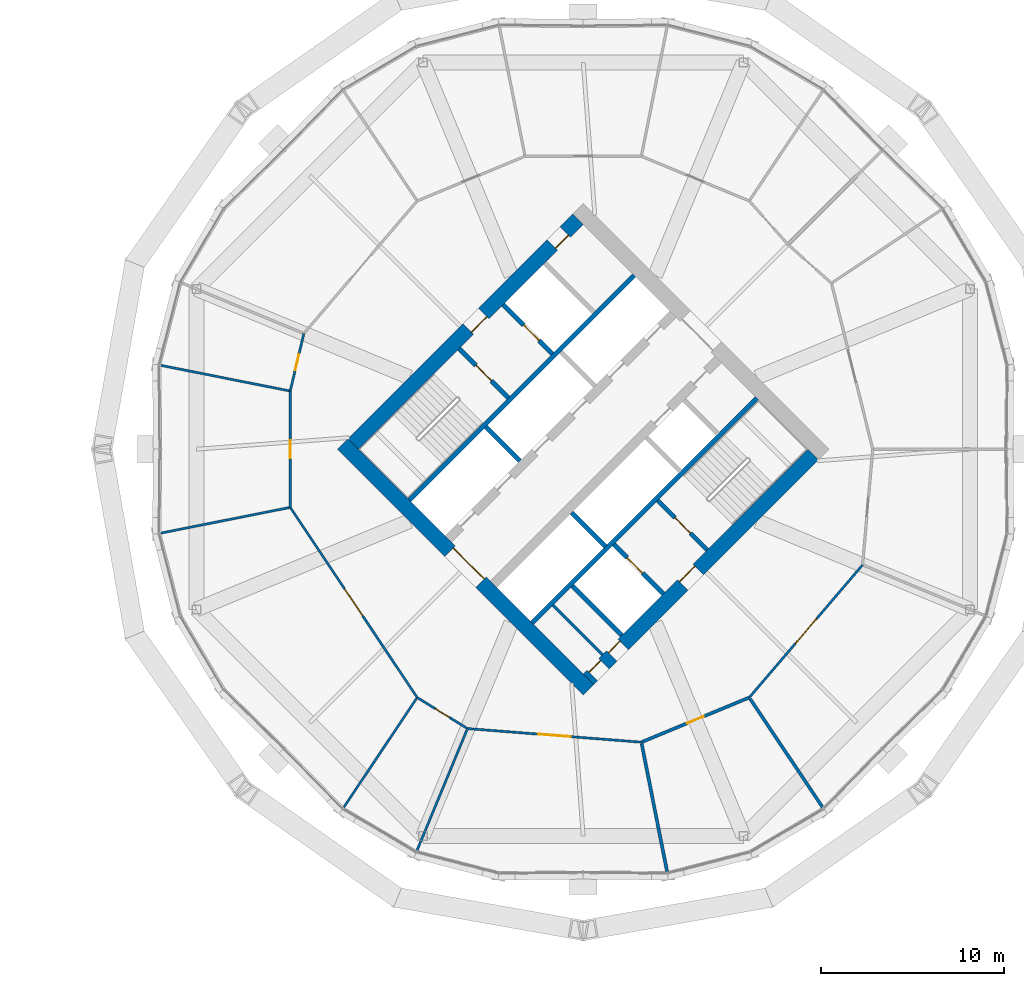
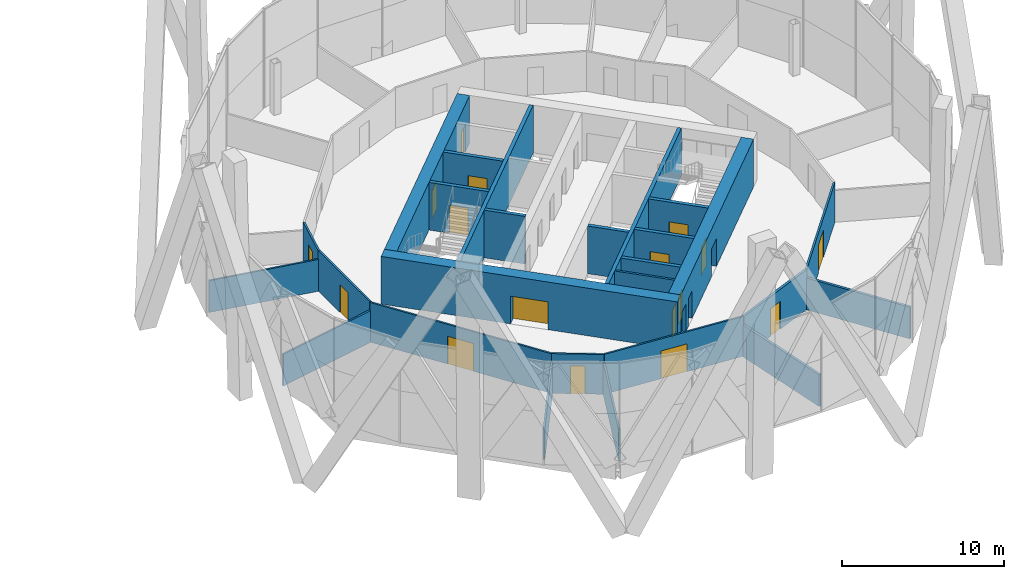
# One storey, part 25 of 31: 26 walls, 17 doors, 17 openings.
"""IFC4 building model written with IfcOpenShell, lengths in metres."""

from ifc_helpers import new_model, si_unit, direction, frame, frame_2d, origin, place, context, subcontext, project, spatial, rectangle, extrude, material, layer, layer_set, type_object, element, fill, save


model = new_model("IFC4")

# Units and contexts
model_context = context("Model", 3, precision=1e-05, world=origin(), true_north=direction((0.0, 1.0)))
body_context = subcontext(model_context, "Body", "Model", "MODEL_VIEW")
ifc_project = project(units=[si_unit("LENGTHUNIT", "METRE"), si_unit("AREAUNIT", "SQUARE_METRE"), si_unit("VOLUMEUNIT", "CUBIC_METRE"), si_unit("PLANEANGLEUNIT", "RADIAN"), si_unit("MASSUNIT", "GRAM", prefix="KILO")], contexts=[model_context])

# Site, building, storey
site_placement = place(None, origin())
site = spatial("IfcSite", under=ifc_project, at=site_placement, CompositionType="ELEMENT")
building_placement = place(site_placement, origin())
building = spatial("IfcBuilding", under=site, at=building_placement, Name="Ogive Gate Towers", CompositionType="ELEMENT")
storey_placement = place(building_placement, frame((0.0, 0.0, 55.800048828125)))
storey = spatial("IfcBuildingStorey", under=building, at=storey_placement, Name="L12", CompositionType="ELEMENT", Elevation=55.800048828125)

# Walls
ifc_material_1 = material(Name="Gypsum board acoustic partition")
ifc_layer_1 = layer(ifc_material_1, 0.175048828125)
ifc_layer_set_1 = layer_set([ifc_layer_1], Name="Acoustic partition 175")
wall_type_1 = type_object("IfcWallType", Name="Acoustic partition 175", PredefinedType="PARTITIONING", material=ifc_layer_set_1)
wall_1_placement = place(storey_placement, frame((40.5888671875, -23.1083984375, 0.0), z_axis=(0.0, 0.0, 1.0), x_axis=(-0.194786131937, 0.980845738536, 0.0)))
element("IfcWall", 1, at=wall_1_placement, inside=storey, type_object=wall_type_1, Name="Partition T2-L12-013", PredefinedType="PARTITIONING", context=body_context, shape_type="SweptSolid", body=[
    extrude(rectangle(XDim=7.1318359375, YDim=0.175048828125, at=frame_2d((3.56591796875, 0.0))), origin(), (0.0, 0.0, 1.0), 2.39990234375),
])
wall_2_placement = place(storey_placement, frame((49.095458984375, -19.584716796875, 0.0), z_axis=(0.0, 0.0, 1.0), x_axis=(-0.555860985904, 0.831275263887, 0.0)))
element("IfcWall", 2, at=wall_2_placement, inside=storey, type_object=wall_type_1, Name="Partition T2-L12-014", PredefinedType="PARTITIONING", context=body_context, shape_type="SweptSolid", body=[
    extrude(rectangle(XDim=7.131591796875, YDim=0.175048828125, at=frame_2d((3.56591796875, 0.0))), origin(), (0.0, 0.0, 1.0), 2.39990234375),
])

# Wall, opening, door
wall_3_placement = place(storey_placement, frame((39.1826171875, -16.027587890625, 0.0), z_axis=(0.0, 0.0, 1.0), x_axis=(0.923883575944, 0.382673670509, 0.0)))
wall_3 = element("IfcWall", 3, at=wall_3_placement, inside=storey, type_object=wall_type_1, Name="Partition T2-L12-021", PredefinedType="PARTITIONING", context=body_context, shape_type="SweptSolid", body=[
    extrude(rectangle(XDim=6.38623046875, YDim=0.175048828125, at=frame_2d((3.193115234375, 0.0))), origin(), (0.0, 0.0, 1.0), 3.010009765625),
])
opening_1_placement = place(wall_3_placement, frame((2.693115234375, 0.0, 0.0)))
opening_1 = element("IfcOpeningElement", 4, at=opening_1_placement, cuts=wall_3, Name="Opening T2-L12-D06", PredefinedType="OPENING", context=body_context, shape_type="SweptSolid", body=[
    extrude(rectangle(XDim=1.0, YDim=2.10009765625, at=frame_2d((0.5, 1.050048828125))), frame((0.0, 0.09765625, 0.0), z_axis=(0.0, -1.0, 0.0), x_axis=(1.0, 0.0, 0.0)), (0.0, 0.0, 1.0), 0.195068359375),
])
ifc_material_2 = material(Name="Timber door", Category="wood")
door_type_1 = type_object("IfcDoorType", Name="Door 1000", OperationType="NOTDEFINED", PredefinedType="DOOR", material=ifc_material_2)
door_1_placement = place(opening_1_placement, origin())
door_1 = element("IfcDoor", 5, at=door_1_placement, inside=storey, type_object=door_type_1, Name="Door T2-L12-D06", OperationType="SINGLE_SWING_RIGHT", OverallHeight=2.10009765625, OverallWidth=1.0, PredefinedType="DOOR", context=body_context, shape_type="SweptSolid", body=[
    extrude(rectangle(XDim=1.0, YDim=2.10009765625, at=frame_2d((0.5, 1.050048828125))), frame((0.0, 0.02490234375, 0.0), z_axis=(0.0, -1.0, 0.0), x_axis=(1.0, 0.0, 0.0)), (0.0, 0.0, 1.0), 0.050048828125),
])
fill(opening_1, door_1)

# Wall, openings, doors
ifc_material_3 = material(Name="Concrete C60/75", Category="concrete")
ifc_layer_2 = layer(ifc_material_3, 0.800048828125)
ifc_layer_set_2 = layer_set([ifc_layer_2], Name="Core wall 800 mm")
wall_type_2 = type_object("IfcWallType", Name="Core wall 800 mm", PredefinedType="SHEAR", material=ifc_layer_set_2)
wall_4_placement = place(storey_placement, frame((36.28271484375, -12.58642578125, 0.0), z_axis=(0.0, 0.0, 1.0), x_axis=(0.707106781187, 0.707106781187, 0.0)))
wall_4 = element("IfcWall", 6, at=wall_4_placement, inside=storey, type_object=wall_type_2, Name="T2 L12 Core wall 800 mm", PredefinedType="SHEAR", context=body_context, shape_type="SweptSolid", body=[
    extrude(rectangle(XDim=17.400146484375, YDim=0.800048828125, at=frame_2d((8.7001953125, 0.0))), origin(), (0.0, 0.0, 1.0), 3.599853515625),
])
opening_2_placement = place(wall_4_placement, frame((7.300048828125, 0.0, 0.0)))
opening_2 = element("IfcOpeningElement", 7, at=opening_2_placement, cuts=wall_4, Name="Opening KD-T2-L12-16", PredefinedType="OPENING", context=body_context, shape_type="SweptSolid", body=[
    extrude(rectangle(XDim=1.199951171875, YDim=2.10009765625, at=frame_2d((0.60009765625, 1.050048828125))), frame((0.0, 0.41015625, 0.0), z_axis=(0.0, -1.0, 0.0), x_axis=(1.0, 0.0, 0.0)), (0.0, 0.0, 1.0), 0.820068359375),
])
opening_3_placement = place(wall_4_placement, frame((0.300048828125, 0.0, 0.0)))
opening_3 = element("IfcOpeningElement", 8, at=opening_3_placement, cuts=wall_4, Name="Opening KD-T2-L12-18", PredefinedType="OPENING", context=body_context, shape_type="SweptSolid", body=[
    extrude(rectangle(XDim=0.89990234375, YDim=2.10009765625, at=frame_2d((0.449951171875, 1.050048828125))), frame((0.0, 0.41015625, 0.0), z_axis=(0.0, -1.0, 0.0), x_axis=(1.0, 0.0, 0.0)), (0.0, 0.0, 1.0), 0.820068359375),
])
opening_4_placement = place(wall_4_placement, frame((1.800048828125, 0.0, 0.0)))
opening_4 = element("IfcOpeningElement", 9, at=opening_4_placement, cuts=wall_4, Name="Opening KD-T2-L12-19", PredefinedType="OPENING", context=body_context, shape_type="SweptSolid", body=[
    extrude(rectangle(XDim=0.89990234375, YDim=2.10009765625, at=frame_2d((0.449951171875, 1.050048828125))), frame((0.0, 0.41015625, 0.0), z_axis=(0.0, -1.0, 0.0), x_axis=(1.0, 0.0, 0.0)), (0.0, 0.0, 1.0), 0.820068359375),
])
door_type_2 = type_object("IfcDoorType", Name="Core WC door 900 x 2100", OperationType="NOTDEFINED", PredefinedType="DOOR", material=ifc_material_2)
door_2_placement = place(opening_3_placement, origin())
door_2 = element("IfcDoor", 10, at=door_2_placement, inside=storey, type_object=door_type_2, Name="T2 L12 Core door", OperationType="SINGLE_SWING_LEFT", OverallHeight=2.10009765625, OverallWidth=0.89990234375, PredefinedType="DOOR", context=body_context, shape_type="SweptSolid", body=[
    extrude(rectangle(XDim=0.89990234375, YDim=2.10009765625, at=frame_2d((0.449951171875, 1.050048828125))), frame((0.0, 0.27490234375, 0.0), z_axis=(0.0, -1.0, 0.0), x_axis=(1.0, 0.0, 0.0)), (0.0, 0.0, 1.0), 0.050048828125),
])
fill(opening_3, door_2)
door_3_placement = place(opening_4_placement, origin())
door_3 = element("IfcDoor", 11, at=door_3_placement, inside=storey, type_object=door_type_2, Name="T2 L12 Core door", OperationType="SINGLE_SWING_RIGHT", OverallHeight=2.10009765625, OverallWidth=0.89990234375, PredefinedType="DOOR", context=body_context, shape_type="SweptSolid", body=[
    extrude(rectangle(XDim=0.89990234375, YDim=2.10009765625, at=frame_2d((0.449951171875, 1.050048828125))), frame((0.0, 0.27490234375, 0.0), z_axis=(0.0, -1.0, 0.0), x_axis=(1.0, 0.0, 0.0)), (0.0, 0.0, 1.0), 0.050048828125),
])
fill(opening_4, door_3)
ifc_material_4 = material(Name="Steel fire door", Category="steel")
door_type_3 = type_object("IfcDoorType", Name="Core door FD60S 1200 x 2100", OperationType="NOTDEFINED", PredefinedType="DOOR", material=ifc_material_4)
door_4_placement = place(opening_2_placement, origin())
door_4 = element("IfcDoor", 12, at=door_4_placement, inside=storey, type_object=door_type_3, Name="T2 L12 Fire-fighting lobby door", OperationType="SINGLE_SWING_LEFT", OverallHeight=2.10009765625, OverallWidth=1.199951171875, PredefinedType="DOOR", context=body_context, shape_type="SweptSolid", body=[
    extrude(rectangle(XDim=1.199951171875, YDim=2.10009765625, at=frame_2d((0.60009765625, 1.050048828125))), frame((0.0, 0.27490234375, 0.0), z_axis=(0.0, -1.0, 0.0), x_axis=(1.0, 0.0, 0.0)), (0.0, 0.0, 1.0), 0.050048828125),
])
fill(opening_2, door_4)

wall_5_placement = place(storey_placement, frame((23.41357421875, 0.28271484375, 0.0), z_axis=(0.0, 0.0, 1.0), x_axis=(0.707106781187, 0.707106781187, 0.0)))
wall_5 = element("IfcWall", 13, at=wall_5_placement, inside=storey, type_object=wall_type_2, Name="T2 L12 Core wall 800 mm", PredefinedType="SHEAR", context=body_context, shape_type="SweptSolid", body=[
    extrude(rectangle(XDim=17.400146484375, YDim=0.800048828125, at=frame_2d((8.7001953125, 0.0))), origin(), (0.0, 0.0, 1.0), 3.599853515625),
])
opening_5_placement = place(wall_5_placement, frame((8.89990234375, 0.0, 0.0)))
opening_5 = element("IfcOpeningElement", 14, at=opening_5_placement, cuts=wall_5, Name="Opening KD-T2-L12-15", PredefinedType="OPENING", context=body_context, shape_type="SweptSolid", body=[
    extrude(rectangle(XDim=1.199951171875, YDim=2.10009765625, at=frame_2d((0.60009765625, 1.050048828125))), frame((0.0, 0.41015625, 0.0), z_axis=(0.0, -1.0, 0.0), x_axis=(1.0, 0.0, 0.0)), (0.0, 0.0, 1.0), 0.820068359375),
])
opening_6_placement = place(wall_5_placement, frame((15.39990234375, 0.0, 0.0)))
opening_6 = element("IfcOpeningElement", 15, at=opening_6_placement, cuts=wall_5, Name="Opening KD-T2-L12-17", PredefinedType="OPENING", context=body_context, shape_type="SweptSolid", body=[
    extrude(rectangle(XDim=1.0, YDim=2.10009765625, at=frame_2d((0.5, 1.050048828125))), frame((0.0, 0.41015625, 0.0), z_axis=(0.0, -1.0, 0.0), x_axis=(1.0, 0.0, 0.0)), (0.0, 0.0, 1.0), 0.820068359375),
])
door_type_4 = type_object("IfcDoorType", Name="Accessible WC door 1000 x 2100", OperationType="NOTDEFINED", PredefinedType="DOOR", material=ifc_material_2)
door_5_placement = place(opening_6_placement, origin())
door_5 = element("IfcDoor", 16, at=door_5_placement, inside=storey, type_object=door_type_4, Name="T2 L12 Core door", OperationType="SINGLE_SWING_RIGHT", OverallHeight=2.10009765625, OverallWidth=1.0, PredefinedType="DOOR", context=body_context, shape_type="SweptSolid", body=[
    extrude(rectangle(XDim=1.0, YDim=2.10009765625, at=frame_2d((0.5, 1.050048828125))), frame((0.0, -0.22509765625, 0.0), z_axis=(0.0, -1.0, 0.0), x_axis=(1.0, 0.0, 0.0)), (0.0, 0.0, 1.0), 0.050048828125),
])
fill(opening_6, door_5)
door_6_placement = place(opening_5_placement, origin())
door_6 = element("IfcDoor", 17, at=door_6_placement, inside=storey, type_object=door_type_3, Name="T2 L12 Fire-fighting lobby door", OperationType="SINGLE_SWING_RIGHT", OverallHeight=2.10009765625, OverallWidth=1.199951171875, PredefinedType="DOOR", context=body_context, shape_type="SweptSolid", body=[
    extrude(rectangle(XDim=1.199951171875, YDim=2.10009765625, at=frame_2d((0.60009765625, 1.050048828125))), frame((0.0, -0.22509765625, 0.0), z_axis=(0.0, -1.0, 0.0), x_axis=(1.0, 0.0, 0.0)), (0.0, 0.0, 1.0), 0.050048828125),
])
fill(opening_5, door_6)

# Wall, opening, door
wall_6_placement = place(storey_placement, frame((36.28271484375, -13.152099609375, 0.0), z_axis=(0.0, 0.0, 1.0), x_axis=(-0.707106781187, 0.707106781187, 0.0)))
wall_6 = element("IfcWall", 18, at=wall_6_placement, inside=storey, type_object=wall_type_2, Name="T2 L12 Core wall 800 mm", PredefinedType="SHEAR", context=body_context, shape_type="SweptSolid", body=[
    extrude(rectangle(XDim=18.999755859375, YDim=0.800048828125, at=frame_2d((9.5, 0.0))), origin(), (0.0, 0.0, 1.0), 3.599853515625),
])
opening_7_placement = place(wall_6_placement, frame((8.300048828125, 0.0, 0.0)))
opening_7 = element("IfcOpeningElement", 19, at=opening_7_placement, cuts=wall_6, Name="Opening KD-T2-L12-01", PredefinedType="OPENING", context=body_context, shape_type="SweptSolid", body=[
    extrude(rectangle(XDim=2.39990234375, YDim=2.10009765625, at=frame_2d((1.199951171875, 1.050048828125))), frame((0.0, 0.41015625, 0.0), z_axis=(0.0, -1.0, 0.0), x_axis=(1.0, 0.0, 0.0)), (0.0, 0.0, 1.0), 0.820068359375),
])
door_type_5 = type_object("IfcDoorType", Name="Core double door FD60S 2400 x 2100", OperationType="DOUBLE_DOOR_SINGLE_SWING", PredefinedType="DOOR", material=ifc_material_4)
door_7_placement = place(opening_7_placement, origin())
door_7 = element("IfcDoor", 20, at=door_7_placement, inside=storey, type_object=door_type_5, Name="T2 L12 Core door double", OperationType="DOUBLE_DOOR_SINGLE_SWING", OverallHeight=2.10009765625, OverallWidth=2.39990234375, PredefinedType="DOOR", context=body_context, shape_type="SweptSolid", body=[
    extrude(rectangle(XDim=2.39990234375, YDim=2.10009765625, at=frame_2d((1.199951171875, 1.050048828125))), frame((0.0, -0.22509765625, 0.0), z_axis=(0.0, -1.0, 0.0), x_axis=(1.0, 0.0, 0.0)), (0.0, 0.0, 1.0), 0.050048828125),
])
fill(opening_7, door_7)

# Walls
ifc_material_5 = material(Name="Gypsum board partition")
ifc_layer_3 = layer(ifc_material_5, 0.125)
ifc_layer_set_3 = layer_set([ifc_layer_3], Name="Partition 125")
wall_type_3 = type_object("IfcWallType", Name="Partition 125", PredefinedType="PARTITIONING", material=ifc_layer_set_3)
for number, where, z_axis, x_axis, name in (
    (21, (12.8916015625, 4.5888671875, 0.0), (0.0, 0.0, 1.0), (0.980844819521, -0.194790759581, 0.0), "Partition T2-L12-009"),
    (22, (12.8916015625, -4.5888671875, 0.0), (0.0, 0.0, 1.0), (0.980844819521, 0.194790759581, 0.0), "Partition T2-L12-010"),
):
    element("IfcWall", number, at=place(storey_placement, frame(where, z_axis=z_axis, x_axis=x_axis)), inside=storey, type_object=wall_type_3, Name=name, PredefinedType="PARTITIONING", context=body_context, shape_type="SweptSolid", body=[
        extrude(rectangle(XDim=7.15673828125, YDim=0.125, at=frame_2d((3.578369140625, 0.0))), origin(), (0.0, 0.0, 1.0), 2.39990234375),
    ])
wall_7_placement = place(storey_placement, frame((22.904541015625, -19.584716796875, 0.0), z_axis=(0.0, 0.0, 1.0), x_axis=(0.55586480032, 0.831272713232, 0.0)))
element("IfcWall", 23, at=wall_7_placement, inside=storey, type_object=wall_type_3, Name="Partition T2-L12-011", PredefinedType="PARTITIONING", context=body_context, shape_type="SweptSolid", body=[
    extrude(rectangle(XDim=7.156494140625, YDim=0.125, at=frame_2d((3.578125, 0.0))), origin(), (0.0, 0.0, 1.0), 2.39990234375),
])
wall_8_placement = place(storey_placement, frame((26.875732421875, -22.02783203125, 0.0), z_axis=(0.0, 0.0, 1.0), x_axis=(0.382672478191, 0.923884069803, 0.0)))
element("IfcWall", 24, at=wall_8_placement, inside=storey, type_object=wall_type_3, Name="Partition T2-L12-012", PredefinedType="PARTITIONING", context=body_context, shape_type="SweptSolid", body=[
    extrude(rectangle(XDim=7.2392578125, YDim=0.125, at=frame_2d((3.61962890625, 0.0))), origin(), (0.0, 0.0, 1.0), 2.39990234375),
])

# Wall, opening, door
wall_9_placement = place(storey_placement, frame((20.718017578125, 6.330078125, 0.0), z_axis=(0.0, 0.0, 1.0), x_axis=(-0.230511522285, -0.973069595709, 0.0)))
wall_9 = element("IfcWall", 25, at=wall_9_placement, inside=storey, type_object=wall_type_3, Name="Partition T2-L12-016", PredefinedType="PARTITIONING", context=body_context, shape_type="SweptSolid", body=[
    extrude(rectangle(XDim=3.234619140625, YDim=0.125, at=frame_2d((1.6171875, 0.0))), origin(), (0.0, 0.0, 1.0), 3.010009765625),
])
opening_8_placement = place(wall_9_placement, frame((1.1669921875, 0.0, 0.0)))
opening_8 = element("IfcOpeningElement", 26, at=opening_8_placement, cuts=wall_9, Name="Opening T2-L12-D01", PredefinedType="OPENING", context=body_context, shape_type="SweptSolid", body=[
    extrude(rectangle(XDim=0.89990234375, YDim=2.10009765625, at=frame_2d((0.449951171875, 1.050048828125))), frame((0.0, 0.072509765625, 0.0), z_axis=(0.0, -1.0, 0.0), x_axis=(1.0, 0.0, 0.0)), (0.0, 0.0, 1.0), 0.14501953125),
])
door_type_6 = type_object("IfcDoorType", Name="Door 900", OperationType="NOTDEFINED", PredefinedType="DOOR", material=ifc_material_2)
door_8_placement = place(opening_8_placement, origin())
door_8 = element("IfcDoor", 27, at=door_8_placement, inside=storey, type_object=door_type_6, Name="Door T2-L12-D01", OperationType="SINGLE_SWING_LEFT", OverallHeight=2.10009765625, OverallWidth=0.89990234375, PredefinedType="DOOR", context=body_context, shape_type="SweptSolid", body=[
    extrude(rectangle(XDim=0.89990234375, YDim=2.10009765625, at=frame_2d((0.449951171875, 1.050048828125))), frame((0.0, 0.02490234375, 0.0), z_axis=(0.0, -1.0, 0.0), x_axis=(1.0, 0.0, 0.0)), (0.0, 0.0, 1.0), 0.050048828125),
])
fill(opening_8, door_8)

wall_10_placement = place(storey_placement, frame((19.972412109375, 3.1826171875, 0.0), z_axis=(0.0, 0.0, 1.0), x_axis=(0.0, -1.0, 0.0)))
wall_10 = element("IfcWall", 28, at=wall_10_placement, inside=storey, type_object=wall_type_3, Name="Partition T2-L12-017", PredefinedType="PARTITIONING", context=body_context, shape_type="SweptSolid", body=[
    extrude(rectangle(XDim=6.365234375, YDim=0.125, at=frame_2d((3.1826171875, 0.0))), origin(), (0.0, 0.0, 1.0), 3.050048828125),
])
opening_9_placement = place(wall_10_placement, frame((2.68310546875, 0.0, 0.0)))
opening_9 = element("IfcOpeningElement", 29, at=opening_9_placement, cuts=wall_10, Name="Opening T2-L12-D02", PredefinedType="OPENING", context=body_context, shape_type="SweptSolid", body=[
    extrude(rectangle(XDim=1.0, YDim=2.10009765625, at=frame_2d((0.5, 1.050048828125))), frame((0.0, 0.072509765625, 0.0), z_axis=(0.0, -1.0, 0.0), x_axis=(1.0, 0.0, 0.0)), (0.0, 0.0, 1.0), 0.14501953125),
])
door_9_placement = place(opening_9_placement, origin())
door_9 = element("IfcDoor", 30, at=door_9_placement, inside=storey, type_object=door_type_1, Name="Door T2-L12-D02", OperationType="SINGLE_SWING_RIGHT", OverallHeight=2.10009765625, OverallWidth=1.0, PredefinedType="DOOR", context=body_context, shape_type="SweptSolid", body=[
    extrude(rectangle(XDim=1.0, YDim=2.10009765625, at=frame_2d((0.5, 1.050048828125))), frame((0.0, 0.02490234375, 0.0), z_axis=(0.0, -1.0, 0.0), x_axis=(1.0, 0.0, 0.0)), (0.0, 0.0, 1.0), 0.050048828125),
])
fill(opening_9, door_9)

wall_11_placement = place(storey_placement, frame((19.972412109375, -3.1826171875, 0.0), z_axis=(0.0, 0.0, 1.0), x_axis=(0.555294694613, -0.831653655156, 0.0)))
wall_11 = element("IfcWall", 31, at=wall_11_placement, inside=storey, type_object=wall_type_3, Name="Partition T2-L12-018", PredefinedType="PARTITIONING", context=body_context, shape_type="SweptSolid", body=[
    extrude(rectangle(XDim=12.506591796875, YDim=0.125, at=frame_2d((6.25341796875, 0.0))), origin(), (0.0, 0.0, 1.0), 3.0),
])
opening_10_placement = place(wall_11_placement, frame((5.35302734375, 0.0, 0.0)))
opening_10 = element("IfcOpeningElement", 32, at=opening_10_placement, cuts=wall_11, Name="Opening T2-L12-D03", PredefinedType="OPENING", context=body_context, shape_type="SweptSolid", body=[
    extrude(rectangle(XDim=1.800048828125, YDim=2.10009765625, at=frame_2d((0.89990234375, 1.050048828125))), frame((0.0, 0.072509765625, 0.0), z_axis=(0.0, -1.0, 0.0), x_axis=(1.0, 0.0, 0.0)), (0.0, 0.0, 1.0), 0.14501953125),
])
door_type_7 = type_object("IfcDoorType", Name="Door pair 1800", OperationType="NOTDEFINED", PredefinedType="DOOR", material=ifc_material_2)
door_10_placement = place(opening_10_placement, origin())
door_10 = element("IfcDoor", 33, at=door_10_placement, inside=storey, type_object=door_type_7, Name="Door T2-L12-D03", OperationType="DOUBLE_DOOR_DOUBLE_SWING", OverallHeight=2.10009765625, OverallWidth=1.800048828125, PredefinedType="DOOR", context=body_context, shape_type="SweptSolid", body=[
    extrude(rectangle(XDim=1.800048828125, YDim=2.10009765625, at=frame_2d((0.89990234375, 1.050048828125))), frame((0.0, 0.02490234375, 0.0), z_axis=(0.0, -1.0, 0.0), x_axis=(1.0, 0.0, 0.0)), (0.0, 0.0, 1.0), 0.050048828125),
])
fill(opening_10, door_10)

wall_12_placement = place(storey_placement, frame((26.917236328125, -13.583740234375, 0.0), z_axis=(0.0, 0.0, 1.0), x_axis=(0.851066872597, -0.525057309604, 0.0)))
wall_12 = element("IfcWall", 34, at=wall_12_placement, inside=storey, type_object=wall_type_3, Name="Partition T2-L12-019", PredefinedType="PARTITIONING", context=body_context, shape_type="SweptSolid", body=[
    extrude(rectangle(XDim=3.234375, YDim=0.125, at=frame_2d((1.6171875, 0.0))), origin(), (0.0, 0.0, 1.0), 3.010009765625),
])
opening_11_placement = place(wall_12_placement, frame((1.1669921875, 0.0, 0.0)))
opening_11 = element("IfcOpeningElement", 35, at=opening_11_placement, cuts=wall_12, Name="Opening T2-L12-D04", PredefinedType="OPENING", context=body_context, shape_type="SweptSolid", body=[
    extrude(rectangle(XDim=0.89990234375, YDim=2.10009765625, at=frame_2d((0.449951171875, 1.050048828125))), frame((0.0, 0.072509765625, 0.0), z_axis=(0.0, -1.0, 0.0), x_axis=(1.0, 0.0, 0.0)), (0.0, 0.0, 1.0), 0.14501953125),
])
door_11_placement = place(opening_11_placement, origin())
door_11 = element("IfcDoor", 36, at=door_11_placement, inside=storey, type_object=door_type_6, Name="Door T2-L12-D04", OperationType="SINGLE_SWING_LEFT", OverallHeight=2.10009765625, OverallWidth=0.89990234375, PredefinedType="DOOR", context=body_context, shape_type="SweptSolid", body=[
    extrude(rectangle(XDim=0.89990234375, YDim=2.10009765625, at=frame_2d((0.449951171875, 1.050048828125))), frame((0.0, 0.02490234375, 0.0), z_axis=(0.0, -1.0, 0.0), x_axis=(1.0, 0.0, 0.0)), (0.0, 0.0, 1.0), 0.050048828125),
])
fill(opening_11, door_11)

wall_13_placement = place(storey_placement, frame((29.669921875, -15.281982421875, 0.0), z_axis=(0.0, 0.0, 1.0), x_axis=(0.996942365505, -0.078140385593, 0.0)))
wall_13 = element("IfcWall", 37, at=wall_13_placement, inside=storey, type_object=wall_type_3, Name="Partition T2-L12-020", PredefinedType="PARTITIONING", context=body_context, shape_type="SweptSolid", body=[
    extrude(rectangle(XDim=9.5419921875, YDim=0.125, at=frame_2d((4.77099609375, 0.0))), origin(), (0.0, 0.0, 1.0), 3.010009765625),
])
opening_12_placement = place(wall_13_placement, frame((3.87109375, 0.0, 0.0)))
opening_12 = element("IfcOpeningElement", 38, at=opening_12_placement, cuts=wall_13, Name="Opening T2-L12-D05", PredefinedType="OPENING", context=body_context, shape_type="SweptSolid", body=[
    extrude(rectangle(XDim=1.800048828125, YDim=2.10009765625, at=frame_2d((0.89990234375, 1.050048828125))), frame((0.0, 0.072509765625, 0.0), z_axis=(0.0, -1.0, 0.0), x_axis=(1.0, 0.0, 0.0)), (0.0, 0.0, 1.0), 0.14501953125),
])
door_12_placement = place(opening_12_placement, origin())
door_12 = element("IfcDoor", 39, at=door_12_placement, inside=storey, type_object=door_type_7, Name="Door T2-L12-D05", OperationType="DOUBLE_DOOR_DOUBLE_SWING", OverallHeight=2.10009765625, OverallWidth=1.800048828125, PredefinedType="DOOR", context=body_context, shape_type="SweptSolid", body=[
    extrude(rectangle(XDim=1.800048828125, YDim=2.10009765625, at=frame_2d((0.89990234375, 1.050048828125))), frame((0.0, 0.02490234375, 0.0), z_axis=(0.0, -1.0, 0.0), x_axis=(1.0, 0.0, 0.0)), (0.0, 0.0, 1.0), 0.050048828125),
])
fill(opening_12, door_12)

wall_14_placement = place(storey_placement, frame((45.082763671875, -13.583740234375, 0.0), z_axis=(0.0, 0.0, 1.0), x_axis=(0.649690774844, 0.760198590556, 0.0)))
wall_14 = element("IfcWall", 40, at=wall_14_placement, inside=storey, type_object=wall_type_3, Name="Partition T2-L12-022", PredefinedType="PARTITIONING", context=body_context, shape_type="SweptSolid", body=[
    extrude(rectangle(XDim=9.541748046875, YDim=0.125, at=frame_2d((4.77099609375, 0.0))), origin(), (0.0, 0.0, 1.0), 3.0),
])
opening_13_placement = place(wall_14_placement, frame((3.87109375, 0.0, 0.0)))
opening_13 = element("IfcOpeningElement", 41, at=opening_13_placement, cuts=wall_14, Name="Opening T2-L12-D07", PredefinedType="OPENING", context=body_context, shape_type="SweptSolid", body=[
    extrude(rectangle(XDim=1.800048828125, YDim=2.10009765625, at=frame_2d((0.89990234375, 1.050048828125))), frame((0.0, 0.072509765625, 0.0), z_axis=(0.0, -1.0, 0.0), x_axis=(1.0, 0.0, 0.0)), (0.0, 0.0, 1.0), 0.14501953125),
])
door_13_placement = place(opening_13_placement, origin())
door_13 = element("IfcDoor", 42, at=door_13_placement, inside=storey, type_object=door_type_7, Name="Door T2-L12-D07", OperationType="DOUBLE_DOOR_DOUBLE_SWING", OverallHeight=2.10009765625, OverallWidth=1.800048828125, PredefinedType="DOOR", context=body_context, shape_type="SweptSolid", body=[
    extrude(rectangle(XDim=1.800048828125, YDim=2.10009765625, at=frame_2d((0.89990234375, 1.050048828125))), frame((0.0, 0.02490234375, 0.0), z_axis=(0.0, -1.0, 0.0), x_axis=(1.0, 0.0, 0.0)), (0.0, 0.0, 1.0), 0.050048828125),
])
fill(opening_13, door_13)

# Walls
ifc_layer_4 = layer(ifc_material_5, 0.14990234375)
ifc_layer_set_4 = layer_set([ifc_layer_4], Name="Room partition 150 mm")
wall_type_4 = type_object("IfcWallType", Name="Room partition 150 mm", PredefinedType="PARTITIONING", material=ifc_layer_set_4)
wall_15_placement = place(storey_placement, frame((37.060791015625, -11.242919921875, 0.0), z_axis=(0.0, 0.0, 1.0), x_axis=(-0.707138693938, 0.707074866995, 0.0)))
element("IfcWall", 43, at=wall_15_placement, inside=storey, type_object=wall_type_4, Name="T2 L12 Room partition 150 mm", PredefinedType="PARTITIONING", context=body_context, shape_type="SweptSolid", body=[
    extrude(rectangle(XDim=3.824951171875, YDim=0.14990234375, at=frame_2d((1.91259765625, 0.0))), origin(), (0.0, 0.0, 1.0), 3.599853515625),
])
ifc_layer_5 = layer(ifc_material_3, 0.25)
ifc_layer_set_5 = layer_set([ifc_layer_5], Name="Shaft wall 250 mm")
wall_type_5 = type_object("IfcWallType", Name="Shaft wall 250 mm", PredefinedType="SHEAR", material=ifc_layer_set_5)
for number, where, z_axis, x_axis, name in (
    (44, (33.206787109375, -9.510498046875, 0.0), (0.0, 0.0, 1.0), (0.707106781187, 0.707106781187, 0.0), "T2 L12 Shaft wall 250 mm"),
    (45, (26.489501953125, -2.793212890625, 0.0), (0.0, 0.0, 1.0), (0.707106781187, 0.707106781187, 0.0), "T2 L12 Shaft wall 250 mm"),
):
    element("IfcWall", number, at=place(storey_placement, frame(where, z_axis=z_axis, x_axis=x_axis)), inside=storey, type_object=wall_type_5, Name=name, PredefinedType="SHEAR", context=body_context, shape_type="SweptSolid", body=[
        extrude(rectangle(XDim=17.400146484375, YDim=0.25, at=frame_2d((8.7001953125, 0.0))), origin(), (0.0, 0.0, 1.0), 3.599853515625),
    ])
wall_16_placement = place(storey_placement, frame((38.121337890625, -10.182373046875, 0.0), z_axis=(0.0, 0.0, 1.0), x_axis=(-0.707138693938, 0.707074866995, 0.0)))
element("IfcWall", 46, at=wall_16_placement, inside=storey, type_object=wall_type_5, Name="T2 L12 Shaft wall 250 mm", PredefinedType="SHEAR", context=body_context, shape_type="SweptSolid", body=[
    extrude(rectangle(XDim=3.824951171875, YDim=0.25, at=frame_2d((1.91259765625, 0.0))), origin(), (0.0, 0.0, 1.0), 3.599853515625),
])
for number, where, z_axis, x_axis, name in (
    (47, (37.2197265625, -5.321044921875, 0.0), (0.0, 0.0, 1.0), (-0.707106781187, 0.707106781187, 0.0), "T2 L12 Shaft wall 250 mm"),
    (48, (32.53515625, -0.636474609375, 0.0), (0.0, 0.0, 1.0), (-0.707106781187, 0.707106781187, 0.0), "T2 L12 Shaft wall 250 mm"),
):
    element("IfcWall", number, at=place(storey_placement, frame(where, z_axis=z_axis, x_axis=x_axis)), inside=storey, type_object=wall_type_5, Name=name, PredefinedType="SHEAR", context=body_context, shape_type="SweptSolid", body=[
        extrude(rectangle(XDim=2.625, YDim=0.25, at=frame_2d((1.3125, 0.0))), origin(), (0.0, 0.0, 1.0), 3.599853515625),
    ])

# Wall, opening, door
wall_17_placement = place(storey_placement, frame((40.384033203125, -7.919677734375, 0.0), z_axis=(0.0, 0.0, 1.0), x_axis=(-0.707074866995, 0.707138693938, 0.0)))
wall_17 = element("IfcWall", 49, at=wall_17_placement, inside=storey, type_object=wall_type_5, Name="T2 L12 Shaft wall 250 mm", PredefinedType="SHEAR", context=body_context, shape_type="SweptSolid", body=[
    extrude(rectangle(XDim=3.824951171875, YDim=0.25, at=frame_2d((1.91259765625, 0.0))), origin(), (0.0, 0.0, 1.0), 3.599853515625),
])
opening_14_placement = place(wall_17_placement, frame((1.60009765625, 0.0, 0.0)))
opening_14 = element("IfcOpeningElement", 50, at=opening_14_placement, cuts=wall_17, Name="Opening LD-T2-L12-11", PredefinedType="OPENING", context=body_context, shape_type="SweptSolid", body=[
    extrude(rectangle(XDim=1.199951171875, YDim=2.10009765625, at=frame_2d((0.60009765625, 1.050048828125))), frame((0.0, 0.135009765625, 0.0), z_axis=(0.0, -1.0, 0.0), x_axis=(1.0, 0.0, 0.0)), (0.0, 0.0, 1.0), 0.27001953125),
])
ifc_material_6 = material(Name="Stainless steel landing door", Category="steel")
door_type_8 = type_object("IfcDoorType", Name="Landing door 1200 x 2100", OperationType="SLIDING_TO_LEFT", PredefinedType="DOOR", material=ifc_material_6)
door_14_placement = place(opening_14_placement, origin())
door_14 = element("IfcDoor", 51, at=door_14_placement, inside=storey, type_object=door_type_8, Name="T2 L12 Lift landing door FF2", OperationType="SLIDING_TO_LEFT", OverallHeight=2.10009765625, OverallWidth=1.199951171875, PredefinedType="DOOR", context=body_context, shape_type="SweptSolid", body=[
    extrude(rectangle(XDim=1.199951171875, YDim=2.10009765625, at=frame_2d((0.60009765625, 1.050048828125))), frame((0.0, 0.02490234375, 0.0), z_axis=(0.0, -1.0, 0.0), x_axis=(1.0, 0.0, 0.0)), (0.0, 0.0, 1.0), 0.050048828125),
])
fill(opening_14, door_14)

wall_18_placement = place(storey_placement, frame((31.91650390625, 2.810791015625, 0.0), z_axis=(0.0, 0.0, 1.0), x_axis=(-0.707106781187, 0.707106781187, 0.0)))
wall_18 = element("IfcWall", 52, at=wall_18_placement, inside=storey, type_object=wall_type_5, Name="T2 L12 Shaft wall 250 mm", PredefinedType="SHEAR", context=body_context, shape_type="SweptSolid", body=[
    extrude(rectangle(XDim=3.824951171875, YDim=0.25, at=frame_2d((1.91259765625, 0.0))), origin(), (0.0, 0.0, 1.0), 3.599853515625),
])
opening_15_placement = place(wall_18_placement, frame((1.324951171875, 0.0, 0.0)))
opening_15 = element("IfcOpeningElement", 53, at=opening_15_placement, cuts=wall_18, Name="Opening KD-T2-L12-13", PredefinedType="OPENING", context=body_context, shape_type="SweptSolid", body=[
    extrude(rectangle(XDim=1.199951171875, YDim=2.10009765625, at=frame_2d((0.60009765625, 1.050048828125))), frame((0.0, 0.135009765625, 0.0), z_axis=(0.0, -1.0, 0.0), x_axis=(1.0, 0.0, 0.0)), (0.0, 0.0, 1.0), 0.27001953125),
])
door_15_placement = place(opening_15_placement, origin())
door_15 = element("IfcDoor", 54, at=door_15_placement, inside=storey, type_object=door_type_3, Name="T2 L12 Stair door", OperationType="SINGLE_SWING_RIGHT", OverallHeight=2.10009765625, OverallWidth=1.199951171875, PredefinedType="DOOR", context=body_context, shape_type="SweptSolid", body=[
    extrude(rectangle(XDim=1.199951171875, YDim=2.10009765625, at=frame_2d((0.60009765625, 1.050048828125))), frame((0.0, 0.02490234375, 0.0), z_axis=(0.0, -1.0, 0.0), x_axis=(1.0, 0.0, 0.0)), (0.0, 0.0, 1.0), 0.050048828125),
])
fill(opening_15, door_15)

wall_19_placement = place(storey_placement, frame((42.7880859375, -5.515380859375, 0.0), z_axis=(0.0, 0.0, 1.0), x_axis=(-0.707106781187, 0.707106781187, 0.0)))
wall_19 = element("IfcWall", 55, at=wall_19_placement, inside=storey, type_object=wall_type_5, Name="T2 L12 Shaft wall 250 mm", PredefinedType="SHEAR", context=body_context, shape_type="SweptSolid", body=[
    extrude(rectangle(XDim=3.824951171875, YDim=0.25, at=frame_2d((1.91259765625, 0.0))), origin(), (0.0, 0.0, 1.0), 3.599853515625),
])
opening_16_placement = place(wall_19_placement, frame((1.300048828125, 0.0, 0.0)))
opening_16 = element("IfcOpeningElement", 56, at=opening_16_placement, cuts=wall_19, Name="Opening KD-T2-L12-14", PredefinedType="OPENING", context=body_context, shape_type="SweptSolid", body=[
    extrude(rectangle(XDim=1.199951171875, YDim=2.10009765625, at=frame_2d((0.60009765625, 1.050048828125))), frame((0.0, 0.135009765625, 0.0), z_axis=(0.0, -1.0, 0.0), x_axis=(1.0, 0.0, 0.0)), (0.0, 0.0, 1.0), 0.27001953125),
])
door_16_placement = place(opening_16_placement, origin())
door_16 = element("IfcDoor", 57, at=door_16_placement, inside=storey, type_object=door_type_3, Name="T2 L12 Stair door", OperationType="SINGLE_SWING_LEFT", OverallHeight=2.10009765625, OverallWidth=1.199951171875, PredefinedType="DOOR", context=body_context, shape_type="SweptSolid", body=[
    extrude(rectangle(XDim=1.199951171875, YDim=2.10009765625, at=frame_2d((0.60009765625, 1.050048828125))), frame((0.0, 0.02490234375, 0.0), z_axis=(0.0, -1.0, 0.0), x_axis=(1.0, 0.0, 0.0)), (0.0, 0.0, 1.0), 0.050048828125),
])
fill(opening_16, door_16)

wall_20_placement = place(storey_placement, frame((34.320556640625, 5.21484375, 0.0), z_axis=(0.0, 0.0, 1.0), x_axis=(-0.707074866995, 0.707138693938, 0.0)))
wall_20 = element("IfcWall", 58, at=wall_20_placement, inside=storey, type_object=wall_type_5, Name="T2 L12 Shaft wall 250 mm", PredefinedType="SHEAR", context=body_context, shape_type="SweptSolid", body=[
    extrude(rectangle(XDim=3.824951171875, YDim=0.25, at=frame_2d((1.91259765625, 0.0))), origin(), (0.0, 0.0, 1.0), 3.599853515625),
])
opening_17_placement = place(wall_20_placement, frame((1.02490234375, 0.0, 0.0)))
opening_17 = element("IfcOpeningElement", 59, at=opening_17_placement, cuts=wall_20, Name="Opening LD-T2-L12-10", PredefinedType="OPENING", context=body_context, shape_type="SweptSolid", body=[
    extrude(rectangle(XDim=1.199951171875, YDim=2.10009765625, at=frame_2d((0.60009765625, 1.050048828125))), frame((0.0, 0.135009765625, 0.0), z_axis=(0.0, -1.0, 0.0), x_axis=(1.0, 0.0, 0.0)), (0.0, 0.0, 1.0), 0.27001953125),
])
door_17_placement = place(opening_17_placement, origin())
door_17 = element("IfcDoor", 60, at=door_17_placement, inside=storey, type_object=door_type_8, Name="T2 L12 Lift landing door FF1", OperationType="SLIDING_TO_LEFT", OverallHeight=2.10009765625, OverallWidth=1.199951171875, PredefinedType="DOOR", context=body_context, shape_type="SweptSolid", body=[
    extrude(rectangle(XDim=1.199951171875, YDim=2.10009765625, at=frame_2d((0.60009765625, 1.050048828125))), frame((0.0, 0.02490234375, 0.0), z_axis=(0.0, -1.0, 0.0), x_axis=(1.0, 0.0, 0.0)), (0.0, 0.0, 1.0), 0.050048828125),
])
fill(opening_17, door_17)

save(model, "model.ifc")
